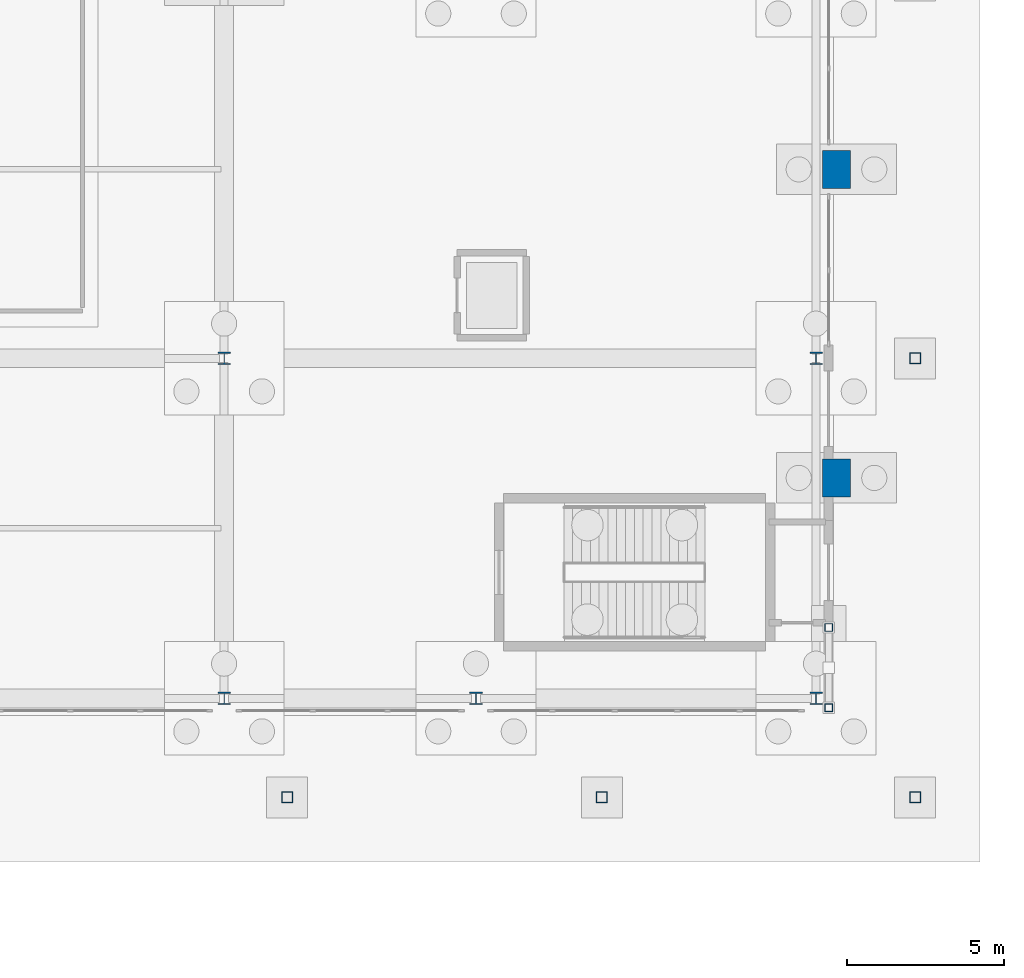
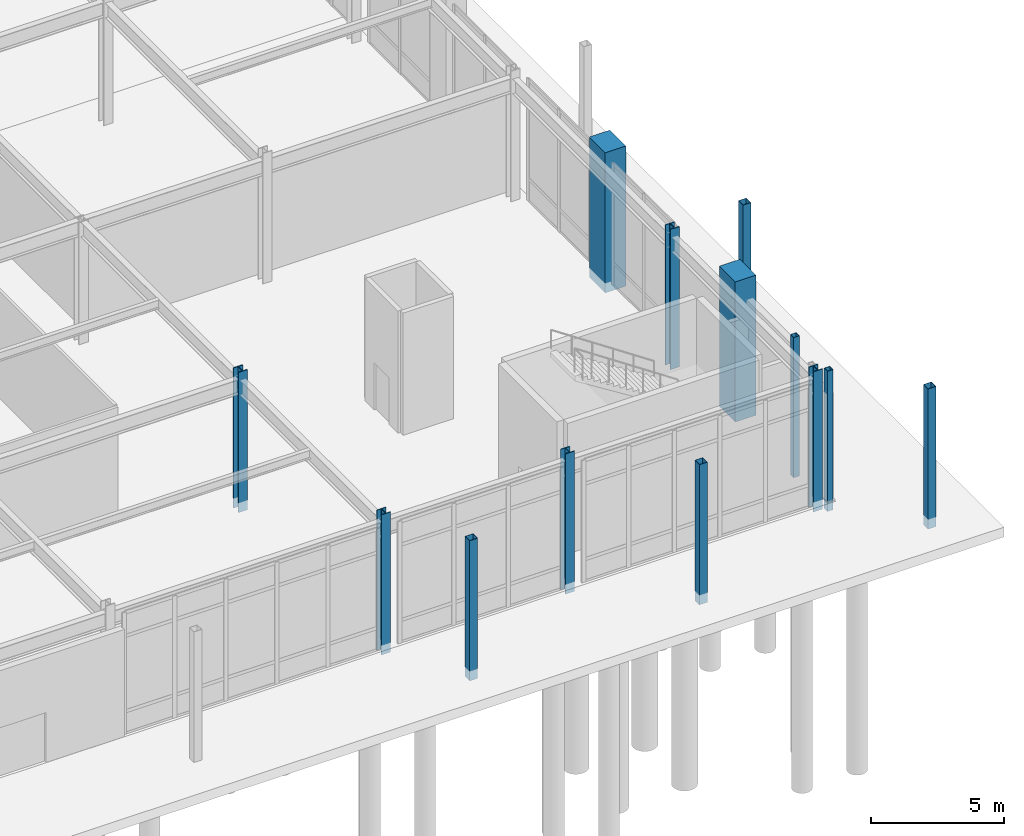
# One storey, part 14 of 143: 13 columns.
"""IFC4 building model written with IfcOpenShell, lengths in metres."""

from ifc_helpers import new_model, si_unit, derived_unit, direction, frame, origin, origin_2d, place, context, subcontext, project, spatial, rectangle, hollow_rectangle, i_section, extrude, material, material_profile, profile_set, type_object, element, save


model = new_model("IFC4")

# Units and contexts
model_context = context("Model", 3, precision=1e-05, world=origin(), true_north=direction((0.0, 1.0)))
body_context = subcontext(model_context, "Body", "Model", "MODEL_VIEW")
ifc_project = project(units=[si_unit("LENGTHUNIT", "METRE"), si_unit("AREAUNIT", "SQUARE_METRE"), si_unit("VOLUMEUNIT", "CUBIC_METRE"), si_unit("PLANEANGLEUNIT", "RADIAN"), si_unit("MASSUNIT", "GRAM", prefix="KILO"), derived_unit("THERMALTRANSMITTANCEUNIT", [(si_unit("MASSUNIT", "GRAM", prefix="KILO"), 1), (si_unit("TIMEUNIT", "SECOND"), -3), (si_unit("THERMODYNAMICTEMPERATUREUNIT", "KELVIN"), -1)])], contexts=[model_context])

# Site, building, storey
site_placement = place(None, origin())
site = spatial("IfcSite", under=ifc_project, at=site_placement, CompositionType="ELEMENT")
building_placement = place(site_placement, origin())
building = spatial("IfcBuilding", under=site, at=building_placement, Name="Valcora Ridge Arena", CompositionType="ELEMENT")
storey_placement = place(building_placement, origin())
storey = spatial("IfcBuildingStorey", under=building, at=storey_placement, Name="L00", CompositionType="ELEMENT", Elevation=0.0)

# Columns
ifc_material_1 = material(Name="Bush-hammered Andean travertine architectural concrete C45/55", Category="masonry")
ifc_material_profile_1 = material_profile(ifc_material_1, rectangle(XDim=0.89990234375, YDim=1.199951171875, at=origin_2d()), Name="RC 900x1200")
ifc_profile_set_1 = profile_set([ifc_material_profile_1], Name="Bush-hammered Andean travertine architectural concrete C45/55")
column_type_1 = type_object("IfcColumnType", Name="TY-COLUMN-C-BUTT-1200", PredefinedType="PILASTER", material=ifc_profile_set_1)
for number, where, z_axis, x_axis, name in (
    (1, (187.449951171875, 12.199951171875, -0.449951171875), (0.0, 0.0, 1.0), (1.0, 0.0, 0.0), "C-BUTT-1200 COL-C-BUTT-1200-0371"),
    (2, (187.449951171875, 22.0, -0.449951171875), (0.0, 0.0, 1.0), (1.0, 0.0, 0.0), "C-BUTT-1200 COL-C-BUTT-1200-0374"),
):
    element("IfcColumn", number, at=place(storey_placement, frame(where, z_axis=z_axis, x_axis=x_axis)), inside=storey, type_object=column_type_1, Name=name, PredefinedType="PILASTER", context=body_context, shape_type="SweptSolid", body=[
        extrude(rectangle(XDim=0.89990234375, YDim=1.199951171875, at=origin_2d()), origin(), (0.0, 0.0, 1.0), 6.449951171875),
    ])
ifc_material_2 = material(Name="Steel ASTM A500 Grade C", Category="steel")
ifc_material_profile_2 = material_profile(ifc_material_2, hollow_rectangle(XDim=0.25, YDim=0.25, WallThickness=0.012451171875, at=origin_2d()), Name="HSS250X250X12")
ifc_profile_set_2 = profile_set([ifc_material_profile_2], Name="Steel ASTM A500 Grade C")
column_type_2 = type_object("IfcColumnType", Name="TY-COLUMN-C-CBF250", PredefinedType="COLUMN", material=ifc_profile_set_2)
for number, where, z_axis, x_axis, name in (
    (3, (187.199951171875, 4.89990234375, -0.449951171875), (0.0, 0.0, 1.0), (1.0, 0.0, 0.0), "C-CBF250 COL-CBF-C-CBF250-0001"),
    (4, (187.199951171875, 7.449951171875, -0.449951171875), (0.0, 0.0, 1.0), (1.0, 0.0, 0.0), "C-CBF250 COL-CBF-C-CBF250-0004"),
):
    element("IfcColumn", number, at=place(storey_placement, frame(where, z_axis=z_axis, x_axis=x_axis)), inside=storey, type_object=column_type_2, Name=name, PredefinedType="COLUMN", context=body_context, shape_type="SweptSolid", body=[
        extrude(hollow_rectangle(XDim=0.25, YDim=0.25, WallThickness=0.012451171875, at=origin_2d()), origin(), (0.0, 0.0, 1.0), 6.449951171875),
    ])
ifc_material_profile_3 = material_profile(ifc_material_2, hollow_rectangle(XDim=0.35009765625, YDim=0.35009765625, WallThickness=0.01611328125, at=origin_2d()), Name="HSS350X350X16")
ifc_profile_set_3 = profile_set([ifc_material_profile_3], Name="Steel ASTM A500 Grade C")
column_type_3 = type_object("IfcColumnType", Name="TY-COLUMN-C-COL350", PredefinedType="COLUMN", material=ifc_profile_set_3)
for number, where, z_axis, x_axis, name in (
    (5, (189.949951171875, 2.050048828125, -0.449951171875), (0.0, 0.0, 1.0), (1.0, 0.0, 0.0), "C-COL350 COL-C-COL350-0022"),
    (6, (189.949951171875, 16.0, -0.449951171875), (0.0, 0.0, 1.0), (1.0, 0.0, 0.0), "C-COL350 COL-C-COL350-0025"),
    (7, (170.0, 2.050048828125, -0.449951171875), (0.0, 0.0, 1.0), (1.0, 0.0, 0.0), "C-COL350 COL-C-COL350-0049"),
    (8, (180.0, 2.050048828125, -0.449951171875), (0.0, 0.0, 1.0), (1.0, 0.0, 0.0), "C-COL350 COL-C-COL350-0052"),
):
    element("IfcColumn", number, at=place(storey_placement, frame(where, z_axis=z_axis, x_axis=x_axis)), inside=storey, type_object=column_type_3, Name=name, PredefinedType="COLUMN", context=body_context, shape_type="SweptSolid", body=[
        extrude(hollow_rectangle(XDim=0.35009765625, YDim=0.35009765625, WallThickness=0.01611328125, at=origin_2d()), origin(), (0.0, 0.0, 1.0), 6.449951171875),
    ])
ifc_material_3 = material(Name="Steel ASTM A572 Grade 50", Category="steel")
ifc_material_profile_4 = material_profile(ifc_material_3, i_section(OverallWidth=0.39892578125, OverallDepth=0.385986328125, WebThickness=0.02099609375, FlangeThickness=0.033203125, FilletRadius=0.01806640625, at=origin_2d()), Name="W14X176")
ifc_profile_set_4 = profile_set([ifc_material_profile_4], Name="Steel ASTM A572 Grade 50")
column_type_4 = type_object("IfcColumnType", Name="TY-COLUMN-C-STL14A", PredefinedType="COLUMN", material=ifc_profile_set_4)
for number, where, z_axis, x_axis, name in (
    (9, (168.0, 5.199951171875, -0.449951171875), (0.0, 0.0, 1.0), (1.0, 0.0, 0.0), "C-STL14A COL-C-STL14A-0022"),
    (10, (168.0, 16.0, -0.449951171875), (0.0, 0.0, 1.0), (1.0, 0.0, 0.0), "C-STL14A COL-C-STL14A-0023"),
    (11, (176.0, 5.199951171875, -0.449951171875), (0.0, 0.0, 1.0), (1.0, 0.0, 0.0), "C-STL14A COL-C-STL14A-0029"),
    (12, (186.800048828125, 5.199951171875, -0.449951171875), (0.0, 0.0, 1.0), (1.0, 0.0, 0.0), "C-STL14A COL-C-STL14A-0035"),
    (13, (186.800048828125, 16.0, -0.449951171875), (0.0, 0.0, 1.0), (1.0, 0.0, 0.0), "C-STL14A COL-C-STL14A-0036"),
):
    element("IfcColumn", number, at=place(storey_placement, frame(where, z_axis=z_axis, x_axis=x_axis)), inside=storey, type_object=column_type_4, Name=name, PredefinedType="COLUMN", context=body_context, shape_type="SweptSolid", body=[
        extrude(i_section(OverallWidth=0.39892578125, OverallDepth=0.385986328125, WebThickness=0.02099609375, FlangeThickness=0.033203125, FilletRadius=0.01806640625, at=origin_2d()), origin(), (0.0, 0.0, 1.0), 6.449951171875),
    ])

save(model, "model.ifc")
